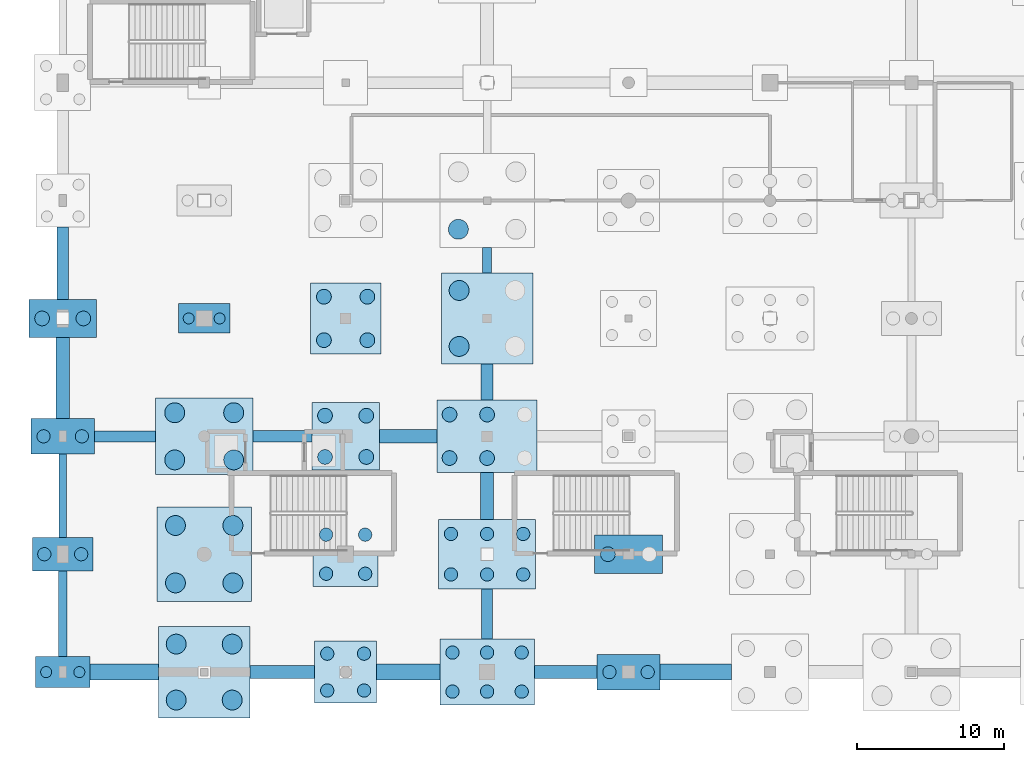
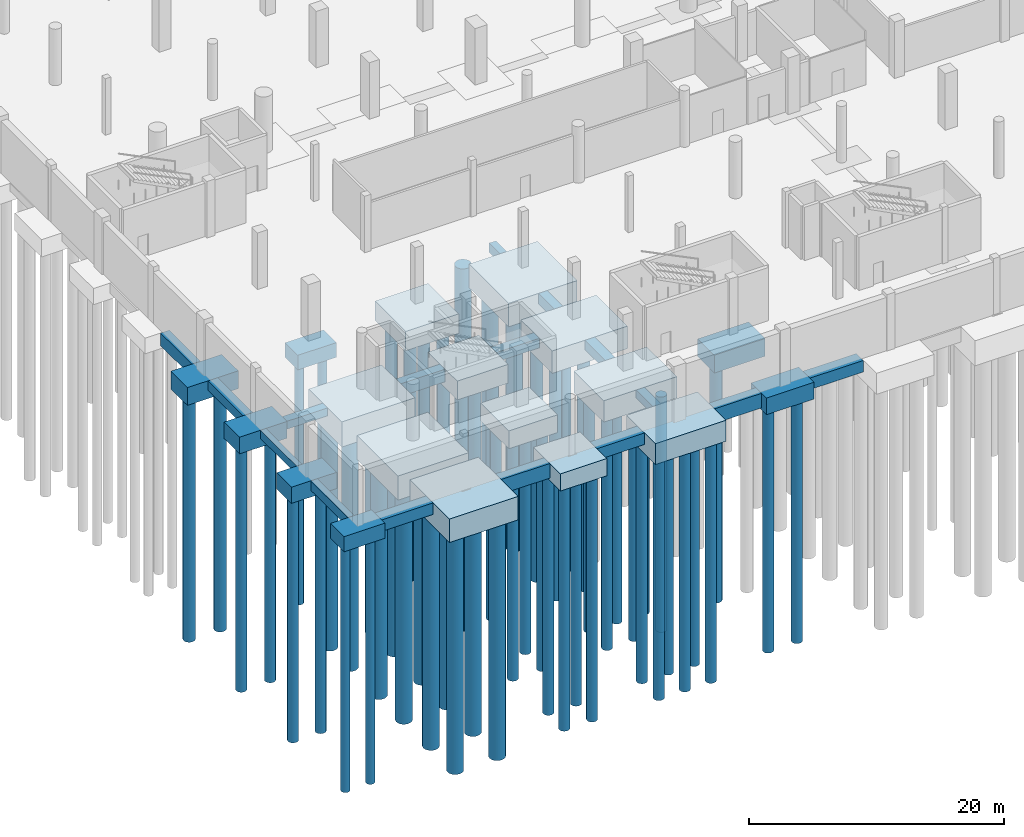
# One storey, part 1 of 44: 60 piles, 34 footings.
"""IFC4 building model written with IfcOpenShell, lengths in metres."""

from ifc_helpers import new_model, si_unit, direction, frame, origin, origin_2d, place, context, subcontext, project, spatial, rectangle, circle, extrude, material, material_profile, profile_set, type_object, element, save


model = new_model("IFC4")

# Units and contexts
model_context = context("Model", 3, precision=1e-05, world=origin(), true_north=direction((0.0, 1.0)))
body_context = subcontext(model_context, "Body", "Model", "MODEL_VIEW")
ifc_project = project(units=[si_unit("LENGTHUNIT", "METRE"), si_unit("AREAUNIT", "SQUARE_METRE"), si_unit("VOLUMEUNIT", "CUBIC_METRE"), si_unit("PLANEANGLEUNIT", "RADIAN"), si_unit("MASSUNIT", "GRAM", prefix="KILO")], contexts=[model_context])

# Site, building, storey
site_placement = place(None, origin())
site = spatial("IfcSite", under=ifc_project, at=site_placement, CompositionType="ELEMENT")
building_placement = place(site_placement, origin())
building = spatial("IfcBuilding", under=site, at=building_placement, Name="Danafjord Basin Convention Centre", CompositionType="ELEMENT")
storey_placement = place(building_placement, frame((0.0, 0.0, -5.39990234375)))
storey = spatial("IfcBuildingStorey", under=building, at=storey_placement, Name="B1", CompositionType="ELEMENT", Elevation=-5.39990234375)

# Footings
ifc_material = material(Name="Concrete C40/50", Category="concrete")
footing_type_1 = type_object("IfcFootingType", Name="CAP-PC-01", PredefinedType="PILE_CAP", material=ifc_material)
footing_1_placement = place(storey_placement, frame((9.60009765625, 32.0, -2.050048828125), z_axis=(0.0, 0.0, 1.0), x_axis=(1.0, 0.0, 0.0)))
element("IfcFooting", 1, at=footing_1_placement, inside=storey, type_object=footing_type_1, Name="B1 pile cap PC-01 at (9.6, 32.0)", PredefinedType="PILE_CAP", context=body_context, shape_type="SweptSolid", body=[
    extrude(rectangle(XDim=3.5, YDim=2.0, at=origin_2d()), origin(), (0.0, 0.0, 1.0), 1.39990234375),
])
footing_type_2 = type_object("IfcFootingType", Name="CAP-PC-02", PredefinedType="PILE_CAP", material=ifc_material)
footing_2_placement = place(storey_placement, frame((0.0, 8.0, -1.4501953125), z_axis=(0.0, 0.0, 1.0), x_axis=(1.0, 0.0, 0.0)))
element("IfcFooting", 2, at=footing_2_placement, inside=storey, type_object=footing_type_2, Name="B1 pile cap PC-02 at (0.0, 8.0)", PredefinedType="PILE_CAP", context=body_context, shape_type="SweptSolid", body=[
    extrude(rectangle(XDim=3.699951171875, YDim=2.10009765625, at=origin_2d()), origin(), (0.0, 0.0, 1.0), 1.449951171875),
])
footing_type_3 = type_object("IfcFootingType", Name="CAP-PC-03", PredefinedType="PILE_CAP", material=ifc_material)
footing_3_placement = place(storey_placement, frame((0.0, 16.0, -1.55029296875), z_axis=(0.0, 0.0, 1.0), x_axis=(1.0, 0.0, 0.0)))
element("IfcFooting", 3, at=footing_3_placement, inside=storey, type_object=footing_type_3, Name="B1 pile cap PC-03 at (0.0, 16.0)", PredefinedType="PILE_CAP", context=body_context, shape_type="SweptSolid", body=[
    extrude(rectangle(XDim=4.10009765625, YDim=2.300048828125, at=origin_2d()), origin(), (0.0, 0.0, 1.0), 1.550048828125),
])
footing_type_4 = type_object("IfcFootingType", Name="CAP-PC-04", PredefinedType="PILE_CAP", material=ifc_material)
for number, where, z_axis, x_axis, name in (
    (4, (0.0, 24.0, -1.60009765625), (0.0, 0.0, 1.0), (1.0, 0.0, 0.0), "B1 pile cap PC-04 at (0.0, 24.0)"),
    (5, (38.39990234375, 8.0, -1.60009765625), (0.0, 0.0, 1.0), (1.0, 0.0, 0.0), "B1 pile cap PC-04 at (38.4, 8.0)"),
):
    element("IfcFooting", number, at=place(storey_placement, frame(where, z_axis=z_axis, x_axis=x_axis)), inside=storey, type_object=footing_type_4, Name=name, PredefinedType="PILE_CAP", context=body_context, shape_type="SweptSolid", body=[
        extrude(rectangle(XDim=4.300048828125, YDim=2.39990234375, at=origin_2d()), origin(), (0.0, 0.0, 1.0), 1.60009765625),
    ])
footing_type_5 = type_object("IfcFootingType", Name="CAP-PC-05", PredefinedType="PILE_CAP", material=ifc_material)
for number, where, z_axis, x_axis, name in (
    (6, (0.0, 32.0, -1.7001953125), (0.0, 0.0, 1.0), (1.0, 0.0, 0.0), "B1 pile cap PC-05 at (0.0, 32.0)"),
    (7, (38.39990234375, 16.0, -2.35009765625), (0.0, 0.0, 1.0), (1.0, 0.0, 0.0), "B1 pile cap PC-05 at (38.4, 16.0)"),
):
    element("IfcFooting", number, at=place(storey_placement, frame(where, z_axis=z_axis, x_axis=x_axis)), inside=storey, type_object=footing_type_5, Name=name, PredefinedType="PILE_CAP", context=body_context, shape_type="SweptSolid", body=[
        extrude(rectangle(XDim=4.60009765625, YDim=2.60009765625, at=origin_2d()), origin(), (0.0, 0.0, 1.0), 1.699951171875),
    ])
footing_type_6 = type_object("IfcFootingType", Name="CAP-PC-08", PredefinedType="PILE_CAP", material=ifc_material)
footing_4_placement = place(storey_placement, frame((19.199951171875, 8.0, -1.650146484375), z_axis=(0.0, 0.0, 1.0), x_axis=(1.0, 0.0, 0.0)))
element("IfcFooting", 8, at=footing_4_placement, inside=storey, type_object=footing_type_6, Name="B1 pile cap PC-08 at (19.2, 8.0)", PredefinedType="PILE_CAP", context=body_context, shape_type="SweptSolid", body=[
    extrude(rectangle(XDim=4.199951171875, YDim=4.199951171875, at=origin_2d()), origin(), (0.0, 0.0, 1.0), 1.64990234375),
])
footing_type_7 = type_object("IfcFootingType", Name="CAP-PC-09", PredefinedType="PILE_CAP", material=ifc_material)
footing_5_placement = place(storey_placement, frame((19.199951171875, 16.0, -2.35009765625), z_axis=(0.0, 0.0, 1.0), x_axis=(1.0, 0.0, 0.0)))
element("IfcFooting", 9, at=footing_5_placement, inside=storey, type_object=footing_type_7, Name="B1 pile cap PC-09 at (19.2, 16.0)", PredefinedType="PILE_CAP", context=body_context, shape_type="SweptSolid", body=[
    extrude(rectangle(XDim=4.39990234375, YDim=4.39990234375, at=origin_2d()), origin(), (0.0, 0.0, 1.0), 1.699951171875),
])
footing_type_8 = type_object("IfcFootingType", Name="CAP-PC-10", PredefinedType="PILE_CAP", material=ifc_material)
footing_6_placement = place(storey_placement, frame((19.199951171875, 24.0, -2.4501953125), z_axis=(0.0, 0.0, 1.0), x_axis=(1.0, 0.0, 0.0)))
element("IfcFooting", 10, at=footing_6_placement, inside=storey, type_object=footing_type_8, Name="B1 pile cap PC-10 at (19.2, 24.0)", PredefinedType="PILE_CAP", context=body_context, shape_type="SweptSolid", body=[
    extrude(rectangle(XDim=4.60009765625, YDim=4.60009765625, at=origin_2d()), origin(), (0.0, 0.0, 1.0), 1.800048828125),
])
footing_type_9 = type_object("IfcFootingType", Name="CAP-PC-11", PredefinedType="PILE_CAP", material=ifc_material)
footing_7_placement = place(storey_placement, frame((19.199951171875, 32.0, -2.500244140625), z_axis=(0.0, 0.0, 1.0), x_axis=(1.0, 0.0, 0.0)))
element("IfcFooting", 11, at=footing_7_placement, inside=storey, type_object=footing_type_9, Name="B1 pile cap PC-11 at (19.2, 32.0)", PredefinedType="PILE_CAP", context=body_context, shape_type="SweptSolid", body=[
    extrude(rectangle(XDim=4.800048828125, YDim=4.800048828125, at=origin_2d()), origin(), (0.0, 0.0, 1.0), 1.85009765625),
])
footing_type_10 = type_object("IfcFootingType", Name="CAP-PC-17", PredefinedType="PILE_CAP", material=ifc_material)
footing_8_placement = place(storey_placement, frame((28.800048828125, 8.0, -2.0), z_axis=(0.0, 0.0, 1.0), x_axis=(1.0, 0.0, 0.0)))
element("IfcFooting", 12, at=footing_8_placement, inside=storey, type_object=footing_type_10, Name="B1 pile cap PC-17 at (28.8, 8.0)", PredefinedType="PILE_CAP", context=body_context, shape_type="SweptSolid", body=[
    extrude(rectangle(XDim=6.39990234375, YDim=4.5, at=origin_2d()), origin(), (0.0, 0.0, 1.0), 2.0),
])
footing_type_11 = type_object("IfcFootingType", Name="CAP-PC-18", PredefinedType="PILE_CAP", material=ifc_material)
footing_9_placement = place(storey_placement, frame((28.800048828125, 16.0, -2.7001953125), z_axis=(0.0, 0.0, 1.0), x_axis=(1.0, 0.0, 0.0)))
element("IfcFooting", 13, at=footing_9_placement, inside=storey, type_object=footing_type_11, Name="B1 pile cap PC-18 at (28.8, 16.0)", PredefinedType="PILE_CAP", context=body_context, shape_type="SweptSolid", body=[
    extrude(rectangle(XDim=6.60009765625, YDim=4.699951171875, at=origin_2d()), origin(), (0.0, 0.0, 1.0), 2.050048828125),
])
footing_type_12 = type_object("IfcFootingType", Name="CAP-PC-19", PredefinedType="PILE_CAP", material=ifc_material)
footing_10_placement = place(storey_placement, frame((28.800048828125, 24.0, -2.800048828125), z_axis=(0.0, 0.0, 1.0), x_axis=(1.0, 0.0, 0.0)))
element("IfcFooting", 14, at=footing_10_placement, inside=storey, type_object=footing_type_12, Name="B1 pile cap PC-19 at (28.8, 24.0)", PredefinedType="PILE_CAP", context=body_context, shape_type="SweptSolid", body=[
    extrude(rectangle(XDim=6.800048828125, YDim=4.89990234375, at=origin_2d()), origin(), (0.0, 0.0, 1.0), 2.14990234375),
])
footing_type_13 = type_object("IfcFootingType", Name="CAP-PC-20", PredefinedType="PILE_CAP", material=ifc_material)
for number, where, z_axis, x_axis, name in (
    (15, (9.60009765625, 8.0, -2.25), (0.0, 0.0, 1.0), (1.0, 0.0, 0.0), "B1 pile cap PC-20 at (9.6, 8.0)"),
    (16, (28.800048828125, 32.0, -2.900146484375), (0.0, 0.0, 1.0), (1.0, 0.0, 0.0), "B1 pile cap PC-20 at (28.8, 32.0)"),
):
    element("IfcFooting", number, at=place(storey_placement, frame(where, z_axis=z_axis, x_axis=x_axis)), inside=storey, type_object=footing_type_13, Name=name, PredefinedType="PILE_CAP", context=body_context, shape_type="SweptSolid", body=[
        extrude(rectangle(XDim=6.199951171875, YDim=6.199951171875, at=origin_2d()), origin(), (0.0, 0.0, 1.0), 2.25),
    ])
footing_type_14 = type_object("IfcFootingType", Name="CAP-PC-21", PredefinedType="PILE_CAP", material=ifc_material)
footing_11_placement = place(storey_placement, frame((9.60009765625, 16.0, -2.9501953125), z_axis=(0.0, 0.0, 1.0), x_axis=(1.0, 0.0, 0.0)))
element("IfcFooting", 17, at=footing_11_placement, inside=storey, type_object=footing_type_14, Name="B1 pile cap PC-21 at (9.6, 16.0)", PredefinedType="PILE_CAP", context=body_context, shape_type="SweptSolid", body=[
    extrude(rectangle(XDim=6.39990234375, YDim=6.39990234375, at=origin_2d()), origin(), (0.0, 0.0, 1.0), 2.300048828125),
])
footing_type_15 = type_object("IfcFootingType", Name="CAP-PC-22", PredefinedType="PILE_CAP", material=ifc_material)
footing_12_placement = place(storey_placement, frame((9.60009765625, 24.0, -3.050048828125), z_axis=(0.0, 0.0, 1.0), x_axis=(1.0, 0.0, 0.0)))
element("IfcFooting", 18, at=footing_12_placement, inside=storey, type_object=footing_type_15, Name="B1 pile cap PC-22 at (9.6, 24.0)", PredefinedType="PILE_CAP", context=body_context, shape_type="SweptSolid", body=[
    extrude(rectangle(XDim=6.60009765625, YDim=5.199951171875, at=origin_2d()), origin(), (0.0, 0.0, 1.0), 2.39990234375),
])
ifc_material_profile_1 = material_profile(ifc_material, rectangle(XDim=0.800048828125, YDim=1.0, at=origin_2d()), Name="GB 800x1000")
ifc_profile_set_1 = profile_set([ifc_material_profile_1], Name="Concrete C40/50")
footing_type_16 = type_object("IfcFootingType", Name="FBM-FB-01", PredefinedType="FOOTING_BEAM", material=ifc_profile_set_1)
footing_13_placement = place(storey_placement, frame((28.800048828125, 26.449951171875, -1.150146484375), z_axis=(0.0, 1.0, 0.0), x_axis=(-1.0, 0.0, 0.0)))
element("IfcFooting", 19, at=footing_13_placement, inside=storey, type_object=footing_type_16, Name="B1 foundation tie beam FB-01", PredefinedType="FOOTING_BEAM", context=body_context, shape_type="SweptSolid", body=[
    extrude(rectangle(XDim=0.800048828125, YDim=1.0, at=origin_2d()), origin(), (0.0, 0.0, 1.0), 2.449951171875),
])
ifc_material_profile_2 = material_profile(ifc_material, rectangle(XDim=0.60009765625, YDim=0.89990234375, at=origin_2d()), Name="GB 600x900")
ifc_profile_set_2 = profile_set([ifc_material_profile_2], Name="Concrete C40/50")
footing_type_17 = type_object("IfcFootingType", Name="FBM-FB-02", PredefinedType="FOOTING_BEAM", material=ifc_profile_set_2)
footing_14_placement = place(storey_placement, frame((0.0, 9.050048828125, -0.4501953125), z_axis=(0.0, 1.0, 0.0), x_axis=(-1.0, 0.0, 0.0)))
element("IfcFooting", 20, at=footing_14_placement, inside=storey, type_object=footing_type_17, Name="B1 foundation tie beam FB-02", PredefinedType="FOOTING_BEAM", context=body_context, shape_type="SweptSolid", body=[
    extrude(rectangle(XDim=0.60009765625, YDim=0.89990234375, at=origin_2d()), origin(), (0.0, 0.0, 1.0), 5.800048828125),
])
footing_15_placement = place(storey_placement, frame((28.800048828125, 35.10009765625, -1.10009765625), z_axis=(0.0, 1.0, 0.0), x_axis=(-1.0, 0.0, 0.0)))
element("IfcFooting", 21, at=footing_15_placement, inside=storey, type_object=footing_type_17, Name="B1 foundation tie beam FB-02", PredefinedType="FOOTING_BEAM", context=body_context, shape_type="SweptSolid", body=[
    extrude(rectangle(XDim=0.60009765625, YDim=0.89990234375, at=origin_2d()), origin(), (0.0, 0.0, 1.0), 1.699951171875),
])
ifc_material_profile_3 = material_profile(ifc_material, rectangle(XDim=0.5, YDim=0.800048828125, at=origin_2d()), Name="PCB 500x800")
ifc_profile_set_3 = profile_set([ifc_material_profile_3], Name="Concrete C40/50")
footing_type_18 = type_object("IfcFootingType", Name="FBM-FB-03", PredefinedType="FOOTING_BEAM", material=ifc_profile_set_3)
footing_16_placement = place(storey_placement, frame((0.0, 17.14990234375, -0.400146484375), z_axis=(0.0, 1.0, 0.0), x_axis=(-1.0, 0.0, 0.0)))
element("IfcFooting", 22, at=footing_16_placement, inside=storey, type_object=footing_type_18, Name="B1 foundation tie beam FB-03", PredefinedType="FOOTING_BEAM", context=body_context, shape_type="SweptSolid", body=[
    extrude(rectangle(XDim=0.5, YDim=0.800048828125, at=origin_2d()), origin(), (0.0, 0.0, 1.0), 5.650146484375),
])
ifc_material_profile_4 = material_profile(ifc_material, rectangle(XDim=0.75, YDim=0.75, at=origin_2d()), Name="RC 750x750")
ifc_profile_set_4 = profile_set([ifc_material_profile_4], Name="Concrete C40/50")
footing_type_19 = type_object("IfcFootingType", Name="FBM-FB-04", PredefinedType="FOOTING_BEAM", material=ifc_profile_set_4)
footing_17_placement = place(storey_placement, frame((2.14990234375, 24.0, -1.025146484375), z_axis=(1.0, 0.0, 0.0), x_axis=(0.0, 1.0, 0.0)))
element("IfcFooting", 23, at=footing_17_placement, inside=storey, type_object=footing_type_19, Name="B1 foundation beam FB-04", PredefinedType="FOOTING_BEAM", context=body_context, shape_type="SweptSolid", body=[
    extrude(rectangle(XDim=0.75, YDim=0.75, at=origin_2d()), origin(), (0.0, 0.0, 1.0), 4.150146484375),
])
footing_18_placement = place(storey_placement, frame((28.800048828125, 10.25, -1.025146484375), z_axis=(0.0, 1.0, 0.0), x_axis=(-1.0, 0.0, 0.0)))
element("IfcFooting", 24, at=footing_18_placement, inside=storey, type_object=footing_type_19, Name="B1 foundation tie beam FB-04", PredefinedType="FOOTING_BEAM", context=body_context, shape_type="SweptSolid", body=[
    extrude(rectangle(XDim=0.75, YDim=0.75, at=origin_2d()), origin(), (0.0, 0.0, 1.0), 3.39990234375),
])
ifc_material_profile_5 = material_profile(ifc_material, rectangle(XDim=0.89990234375, YDim=0.89990234375, at=origin_2d()), Name="RC 900x900")
ifc_profile_set_5 = profile_set([ifc_material_profile_5], Name="Concrete C40/50")
footing_type_20 = type_object("IfcFootingType", Name="FBM-FB-05", PredefinedType="FOOTING_BEAM", material=ifc_profile_set_5)
footing_19_placement = place(storey_placement, frame((0.0, 25.199951171875, -0.4501953125), z_axis=(0.0, 1.0, 0.0), x_axis=(-1.0, 0.0, 0.0)))
element("IfcFooting", 25, at=footing_19_placement, inside=storey, type_object=footing_type_20, Name="B1 foundation tie beam FB-05", PredefinedType="FOOTING_BEAM", context=body_context, shape_type="SweptSolid", body=[
    extrude(rectangle(XDim=0.89990234375, YDim=0.89990234375, at=origin_2d()), origin(), (0.0, 0.0, 1.0), 5.5),
])
footing_20_placement = place(storey_placement, frame((21.5, 24.0, -1.10009765625), z_axis=(1.0, 0.0, 0.0), x_axis=(0.0, 1.0, 0.0)))
element("IfcFooting", 26, at=footing_20_placement, inside=storey, type_object=footing_type_20, Name="B1 foundation beam FB-05", PredefinedType="FOOTING_BEAM", context=body_context, shape_type="SweptSolid", body=[
    extrude(rectangle(XDim=0.89990234375, YDim=0.89990234375, at=origin_2d()), origin(), (0.0, 0.0, 1.0), 3.89990234375),
])
footing_21_placement = place(storey_placement, frame((28.800048828125, 18.35009765625, -1.10009765625), z_axis=(0.0, 1.0, 0.0), x_axis=(-1.0, 0.0, 0.0)))
element("IfcFooting", 27, at=footing_21_placement, inside=storey, type_object=footing_type_20, Name="B1 foundation tie beam FB-05", PredefinedType="FOOTING_BEAM", context=body_context, shape_type="SweptSolid", body=[
    extrude(rectangle(XDim=0.89990234375, YDim=0.89990234375, at=origin_2d()), origin(), (0.0, 0.0, 1.0), 3.199951171875),
])
ifc_material_profile_6 = material_profile(ifc_material, rectangle(XDim=0.800048828125, YDim=1.199951171875, at=origin_2d()), Name="RC 1200x800")
ifc_profile_set_6 = profile_set([ifc_material_profile_6], Name="Concrete C40/50")
footing_type_21 = type_object("IfcFootingType", Name="FBM-FB-06", PredefinedType="FOOTING_BEAM", material=ifc_profile_set_6)
footing_22_placement = place(storey_placement, frame((0.0, 33.300048828125, -0.60009765625), z_axis=(0.0, 1.0, 0.0), x_axis=(-1.0, 0.0, 0.0)))
element("IfcFooting", 28, at=footing_22_placement, inside=storey, type_object=footing_type_21, Name="B1 foundation tie beam FB-06", PredefinedType="FOOTING_BEAM", context=body_context, shape_type="SweptSolid", body=[
    extrude(rectangle(XDim=0.800048828125, YDim=1.199951171875, at=origin_2d()), origin(), (0.0, 0.0, 1.0), 4.89990234375),
])
footing_23_placement = place(storey_placement, frame((12.89990234375, 24.0, -1.25), z_axis=(1.0, 0.0, 0.0), x_axis=(0.0, 1.0, 0.0)))
element("IfcFooting", 29, at=footing_23_placement, inside=storey, type_object=footing_type_21, Name="B1 foundation beam FB-06", PredefinedType="FOOTING_BEAM", context=body_context, shape_type="SweptSolid", body=[
    extrude(rectangle(XDim=0.800048828125, YDim=1.199951171875, at=origin_2d()), origin(), (0.0, 0.0, 1.0), 4.0),
])
ifc_material_profile_7 = material_profile(ifc_material, rectangle(XDim=1.10009765625, YDim=1.10009765625, at=origin_2d()), Name="RC 1100x1100")
ifc_profile_set_7 = profile_set([ifc_material_profile_7], Name="Concrete C40/50")
footing_type_22 = type_object("IfcFootingType", Name="FBM-SF-01", PredefinedType="STRIP_FOOTING", material=ifc_profile_set_7)
footing_24_placement = place(storey_placement, frame((1.85009765625, 8.0, -0.550048828125), z_axis=(1.0, 0.0, 0.0), x_axis=(0.0, 1.0, 0.0)))
element("IfcFooting", 30, at=footing_24_placement, inside=storey, type_object=footing_type_22, Name="B1 foundation beam SF-01", PredefinedType="STRIP_FOOTING", context=body_context, shape_type="SweptSolid", body=[
    extrude(rectangle(XDim=1.10009765625, YDim=1.10009765625, at=origin_2d()), origin(), (0.0, 0.0, 1.0), 4.64990234375),
])
footing_25_placement = place(storey_placement, frame((21.300048828125, 8.0, -0.550048828125), z_axis=(1.0, 0.0, 0.0), x_axis=(0.0, 1.0, 0.0)))
element("IfcFooting", 31, at=footing_25_placement, inside=storey, type_object=footing_type_22, Name="B1 foundation beam SF-01", PredefinedType="STRIP_FOOTING", context=body_context, shape_type="SweptSolid", body=[
    extrude(rectangle(XDim=1.10009765625, YDim=1.10009765625, at=origin_2d()), origin(), (0.0, 0.0, 1.0), 4.300048828125),
])
footing_26_placement = place(storey_placement, frame((40.550048828125, 8.0, -0.550048828125), z_axis=(1.0, 0.0, 0.0), x_axis=(0.0, 1.0, 0.0)))
element("IfcFooting", 32, at=footing_26_placement, inside=storey, type_object=footing_type_22, Name="B1 foundation beam SF-01", PredefinedType="STRIP_FOOTING", context=body_context, shape_type="SweptSolid", body=[
    extrude(rectangle(XDim=1.10009765625, YDim=1.10009765625, at=origin_2d()), origin(), (0.0, 0.0, 1.0), 4.849853515625),
])
ifc_material_profile_8 = material_profile(ifc_material, rectangle(XDim=0.89990234375, YDim=1.39990234375, at=origin_2d()), Name="RC 1400x900")
ifc_profile_set_8 = profile_set([ifc_material_profile_8], Name="Concrete C40/50")
footing_type_23 = type_object("IfcFootingType", Name="FBM-SF-02", PredefinedType="STRIP_FOOTING", material=ifc_profile_set_8)
footing_27_placement = place(storey_placement, frame((12.699951171875, 8.0, -0.7001953125), z_axis=(1.0, 0.0, 0.0), x_axis=(0.0, 1.0, 0.0)))
element("IfcFooting", 33, at=footing_27_placement, inside=storey, type_object=footing_type_23, Name="B1 foundation beam SF-02", PredefinedType="STRIP_FOOTING", context=body_context, shape_type="SweptSolid", body=[
    extrude(rectangle(XDim=0.89990234375, YDim=1.39990234375, at=origin_2d()), origin(), (0.0, 0.0, 1.0), 4.400146484375),
])
footing_28_placement = place(storey_placement, frame((32.0, 8.0, -0.7001953125), z_axis=(1.0, 0.0, 0.0), x_axis=(0.0, 1.0, 0.0)))
element("IfcFooting", 34, at=footing_28_placement, inside=storey, type_object=footing_type_23, Name="B1 foundation beam SF-02", PredefinedType="STRIP_FOOTING", context=body_context, shape_type="SweptSolid", body=[
    extrude(rectangle(XDim=0.89990234375, YDim=1.39990234375, at=origin_2d()), origin(), (0.0, 0.0, 1.0), 4.25),
])

# Piles
ifc_material_profile_9 = material_profile(ifc_material, circle(Radius=0.5, at=origin_2d()), Name="PILE D1000")
ifc_profile_set_9 = profile_set([ifc_material_profile_9], Name="Concrete C40/50")
pile_type_1 = type_object("IfcPileType", Name="PILE-PL-1000", PredefinedType="BORED", material=ifc_profile_set_9)
for number, where, z_axis, x_axis, name in (
    (35, (-1.39990234375, 32.0, -1.60009765625), (0.0, 0.0, -1.0), (1.0, 0.0, 0.0), "PC-05 bored pile 1-1"),
    (36, (1.39990234375, 32.0, -1.60009765625), (0.0, 0.0, -1.0), (1.0, 0.0, 0.0), "PC-05 bored pile 2-1"),
):
    element("IfcPile", number, at=place(storey_placement, frame(where, z_axis=z_axis, x_axis=x_axis)), inside=storey, type_object=pile_type_1, Name=name, PredefinedType="BORED", context=body_context, shape_type="SweptSolid", body=[
        extrude(circle(Radius=0.5, at=origin_2d()), origin(), (0.0, 0.0, 1.0), 23.5),
    ])
for number, where, z_axis, x_axis, name in (
    (37, (17.800048828125, 22.60009765625, -2.35009765625), (0.0, 0.0, -1.0), (1.0, 0.0, 0.0), "PC-10 bored pile 1-1"),
    (38, (17.800048828125, 25.39990234375, -2.35009765625), (0.0, 0.0, -1.0), (1.0, 0.0, 0.0), "PC-10 bored pile 1-2"),
    (39, (20.60009765625, 22.60009765625, -2.35009765625), (0.0, 0.0, -1.0), (1.0, 0.0, 0.0), "PC-10 bored pile 2-1"),
    (40, (20.60009765625, 25.39990234375, -2.35009765625), (0.0, 0.0, -1.0), (1.0, 0.0, 0.0), "PC-10 bored pile 2-2"),
):
    element("IfcPile", number, at=place(storey_placement, frame(where, z_axis=z_axis, x_axis=x_axis)), inside=storey, type_object=pile_type_1, Name=name, PredefinedType="BORED", context=body_context, shape_type="SweptSolid", body=[
        extrude(circle(Radius=0.5, at=origin_2d()), origin(), (0.0, 0.0, 1.0), 22.75),
    ])
for number, where, z_axis, x_axis, name in (
    (41, (17.72509765625, 30.52490234375, -2.400146484375), (0.0, 0.0, -1.0), (1.0, 0.0, 0.0), "PC-11 bored pile 1-1"),
    (42, (17.72509765625, 33.47509765625, -2.400146484375), (0.0, 0.0, -1.0), (1.0, 0.0, 0.0), "PC-11 bored pile 1-2"),
    (43, (20.675048828125, 30.52490234375, -2.400146484375), (0.0, 0.0, -1.0), (1.0, 0.0, 0.0), "PC-11 bored pile 2-1"),
    (44, (20.675048828125, 33.47509765625, -2.400146484375), (0.0, 0.0, -1.0), (1.0, 0.0, 0.0), "PC-11 bored pile 2-2"),
):
    element("IfcPile", number, at=place(storey_placement, frame(where, z_axis=z_axis, x_axis=x_axis)), inside=storey, type_object=pile_type_1, Name=name, PredefinedType="BORED", context=body_context, shape_type="SweptSolid", body=[
        extrude(circle(Radius=0.5, at=origin_2d()), origin(), (0.0, 0.0, 1.0), 22.699951171875),
    ])
for number, where, z_axis, x_axis, name in (
    (45, (26.25, 22.52490234375, -2.7001953125), (0.0, 0.0, -1.0), (1.0, 0.0, 0.0), "PC-19 bored pile 1-1"),
    (46, (26.25, 25.47509765625, -2.7001953125), (0.0, 0.0, -1.0), (1.0, 0.0, 0.0), "PC-19 bored pile 1-2"),
    (47, (28.800048828125, 22.52490234375, -2.7001953125), (0.0, 0.0, -1.0), (1.0, 0.0, 0.0), "PC-19 bored pile 2-1"),
    (48, (28.800048828125, 25.47509765625, -2.7001953125), (0.0, 0.0, -1.0), (1.0, 0.0, 0.0), "PC-19 bored pile 2-2"),
):
    element("IfcPile", number, at=place(storey_placement, frame(where, z_axis=z_axis, x_axis=x_axis)), inside=storey, type_object=pile_type_1, Name=name, PredefinedType="BORED", context=body_context, shape_type="SweptSolid", body=[
        extrude(circle(Radius=0.5, at=origin_2d()), origin(), (0.0, 0.0, 1.0), 22.39990234375),
    ])
pile_1_placement = place(storey_placement, frame((37.0, 16.0, -2.25), z_axis=(0.0, 0.0, -1.0), x_axis=(1.0, 0.0, 0.0)))
element("IfcPile", 49, at=pile_1_placement, inside=storey, type_object=pile_type_1, Name="PC-05 bored pile 1-1", PredefinedType="BORED", context=body_context, shape_type="SweptSolid", body=[
    extrude(circle(Radius=0.5, at=origin_2d()), origin(), (0.0, 0.0, 1.0), 22.85009765625),
])
ifc_material_profile_10 = material_profile(ifc_material, circle(Radius=0.675048828125, at=origin_2d()), Name="PILE D1350")
ifc_profile_set_10 = profile_set([ifc_material_profile_10], Name="Concrete C40/50")
pile_type_2 = type_object("IfcPileType", Name="PILE-PL-1350", PredefinedType="BORED", material=ifc_profile_set_10)
for number, where, z_axis, x_axis, name in (
    (50, (7.699951171875, 6.10009765625, -2.150146484375), (0.0, 0.0, -1.0), (1.0, 0.0, 0.0), "PC-20 bored pile 1-1"),
    (51, (7.699951171875, 9.89990234375, -2.150146484375), (0.0, 0.0, -1.0), (1.0, 0.0, 0.0), "PC-20 bored pile 1-2"),
    (52, (11.5, 6.10009765625, -2.150146484375), (0.0, 0.0, -1.0), (1.0, 0.0, 0.0), "PC-20 bored pile 2-1"),
    (53, (11.5, 9.89990234375, -2.150146484375), (0.0, 0.0, -1.0), (1.0, 0.0, 0.0), "PC-20 bored pile 2-2"),
):
    element("IfcPile", number, at=place(storey_placement, frame(where, z_axis=z_axis, x_axis=x_axis)), inside=storey, type_object=pile_type_2, Name=name, PredefinedType="BORED", context=body_context, shape_type="SweptSolid", body=[
        extrude(circle(Radius=0.675048828125, at=origin_2d()), origin(), (0.0, 0.0, 1.0), 22.949951171875),
    ])
for number, where, z_axis, x_axis, name in (
    (54, (7.64990234375, 14.050048828125, -2.85009765625), (0.0, 0.0, -1.0), (1.0, 0.0, 0.0), "PC-21 bored pile 1-1"),
    (55, (7.64990234375, 17.949951171875, -2.85009765625), (0.0, 0.0, -1.0), (1.0, 0.0, 0.0), "PC-21 bored pile 1-2"),
    (56, (11.550048828125, 14.050048828125, -2.85009765625), (0.0, 0.0, -1.0), (1.0, 0.0, 0.0), "PC-21 bored pile 2-1"),
    (57, (11.550048828125, 17.949951171875, -2.85009765625), (0.0, 0.0, -1.0), (1.0, 0.0, 0.0), "PC-21 bored pile 2-2"),
):
    element("IfcPile", number, at=place(storey_placement, frame(where, z_axis=z_axis, x_axis=x_axis)), inside=storey, type_object=pile_type_2, Name=name, PredefinedType="BORED", context=body_context, shape_type="SweptSolid", body=[
        extrude(circle(Radius=0.675048828125, at=origin_2d()), origin(), (0.0, 0.0, 1.0), 22.25),
    ])
for number, where, z_axis, x_axis, name in (
    (58, (7.60009765625, 22.39990234375, -2.9501953125), (0.0, 0.0, -1.0), (1.0, 0.0, 0.0), "PC-22 bored pile 1-1"),
    (59, (7.60009765625, 25.60009765625, -2.9501953125), (0.0, 0.0, -1.0), (1.0, 0.0, 0.0), "PC-22 bored pile 1-2"),
    (60, (11.60009765625, 22.39990234375, -2.9501953125), (0.0, 0.0, -1.0), (1.0, 0.0, 0.0), "PC-22 bored pile 2-1"),
    (61, (11.60009765625, 25.60009765625, -2.9501953125), (0.0, 0.0, -1.0), (1.0, 0.0, 0.0), "PC-22 bored pile 2-2"),
):
    element("IfcPile", number, at=place(storey_placement, frame(where, z_axis=z_axis, x_axis=x_axis)), inside=storey, type_object=pile_type_2, Name=name, PredefinedType="BORED", context=body_context, shape_type="SweptSolid", body=[
        extrude(circle(Radius=0.675048828125, at=origin_2d()), origin(), (0.0, 0.0, 1.0), 22.14990234375),
    ])
for number, where, z_axis, x_axis, name in (
    (62, (26.89990234375, 30.10009765625, -2.800048828125), (0.0, 0.0, -1.0), (1.0, 0.0, 0.0), "PC-20 bored pile 1-1"),
    (63, (26.89990234375, 33.89990234375, -2.800048828125), (0.0, 0.0, -1.0), (1.0, 0.0, 0.0), "PC-20 bored pile 1-2"),
):
    element("IfcPile", number, at=place(storey_placement, frame(where, z_axis=z_axis, x_axis=x_axis)), inside=storey, type_object=pile_type_2, Name=name, PredefinedType="BORED", context=body_context, shape_type="SweptSolid", body=[
        extrude(circle(Radius=0.675048828125, at=origin_2d()), origin(), (0.0, 0.0, 1.0), 22.300048828125),
    ])
pile_2_placement = place(storey_placement, frame((26.85009765625, 38.050048828125, -2.85009765625), z_axis=(0.0, 0.0, -1.0), x_axis=(1.0, 0.0, 0.0)))
element("IfcPile", 64, at=pile_2_placement, inside=storey, type_object=pile_type_2, Name="PC-21 bored pile 1-1", PredefinedType="BORED", context=body_context, shape_type="SweptSolid", body=[
    extrude(circle(Radius=0.675048828125, at=origin_2d()), origin(), (0.0, 0.0, 1.0), 22.25),
])
ifc_material_profile_11 = material_profile(ifc_material, circle(Radius=0.375, at=origin_2d()), Name="PILE D750")
ifc_profile_set_11 = profile_set([ifc_material_profile_11], Name="Concrete C40/50")
pile_type_3 = type_object("IfcPileType", Name="PILE-PL-750", PredefinedType="BORED", material=ifc_profile_set_11)
for number, where, z_axis, x_axis, name in (
    (65, (-1.125, 8.0, -1.35009765625), (0.0, 0.0, -1.0), (1.0, 0.0, 0.0), "PC-02 bored pile 1-1"),
    (66, (1.125, 8.0, -1.35009765625), (0.0, 0.0, -1.0), (1.0, 0.0, 0.0), "PC-02 bored pile 2-1"),
):
    element("IfcPile", number, at=place(storey_placement, frame(where, z_axis=z_axis, x_axis=x_axis)), inside=storey, type_object=pile_type_3, Name=name, PredefinedType="BORED", context=body_context, shape_type="SweptSolid", body=[
        extrude(circle(Radius=0.375, at=origin_2d()), origin(), (0.0, 0.0, 1.0), 23.75),
    ])
for number, where, z_axis, x_axis, name in (
    (67, (8.550048828125, 32.0, -1.9501953125), (0.0, 0.0, -1.0), (1.0, 0.0, 0.0), "PC-01 bored pile 1-1"),
    (68, (10.64990234375, 32.0, -1.9501953125), (0.0, 0.0, -1.0), (1.0, 0.0, 0.0), "PC-01 bored pile 2-1"),
):
    element("IfcPile", number, at=place(storey_placement, frame(where, z_axis=z_axis, x_axis=x_axis)), inside=storey, type_object=pile_type_3, Name=name, PredefinedType="BORED", context=body_context, shape_type="SweptSolid", body=[
        extrude(circle(Radius=0.375, at=origin_2d()), origin(), (0.0, 0.0, 1.0), 23.14990234375),
    ])
ifc_material_profile_12 = material_profile(ifc_material, circle(Radius=0.449951171875, at=origin_2d()), Name="PILE D900")
ifc_profile_set_12 = profile_set([ifc_material_profile_12], Name="Concrete C40/50")
pile_type_4 = type_object("IfcPileType", Name="PILE-PL-900", PredefinedType="BORED", material=ifc_profile_set_12)
for number, where, z_axis, x_axis, name in (
    (69, (-1.25, 16.0, -1.4501953125), (0.0, 0.0, -1.0), (1.0, 0.0, 0.0), "PC-03 bored pile 1-1"),
    (70, (1.25, 16.0, -1.4501953125), (0.0, 0.0, -1.0), (1.0, 0.0, 0.0), "PC-03 bored pile 2-1"),
):
    element("IfcPile", number, at=place(storey_placement, frame(where, z_axis=z_axis, x_axis=x_axis)), inside=storey, type_object=pile_type_4, Name=name, PredefinedType="BORED", context=body_context, shape_type="SweptSolid", body=[
        extrude(circle(Radius=0.449951171875, at=origin_2d()), origin(), (0.0, 0.0, 1.0), 23.64990234375),
    ])
for number, where, z_axis, x_axis, name in (
    (71, (-1.300048828125, 24.0, -1.5), (0.0, 0.0, -1.0), (1.0, 0.0, 0.0), "PC-04 bored pile 1-1"),
    (72, (1.300048828125, 24.0, -1.5), (0.0, 0.0, -1.0), (1.0, 0.0, 0.0), "PC-04 bored pile 2-1"),
):
    element("IfcPile", number, at=place(storey_placement, frame(where, z_axis=z_axis, x_axis=x_axis)), inside=storey, type_object=pile_type_4, Name=name, PredefinedType="BORED", context=body_context, shape_type="SweptSolid", body=[
        extrude(circle(Radius=0.449951171875, at=origin_2d()), origin(), (0.0, 0.0, 1.0), 23.60009765625),
    ])
for number, where, z_axis, x_axis, name in (
    (73, (17.949951171875, 6.75, -1.550048828125), (0.0, 0.0, -1.0), (1.0, 0.0, 0.0), "PC-08 bored pile 1-1"),
    (74, (17.949951171875, 9.25, -1.550048828125), (0.0, 0.0, -1.0), (1.0, 0.0, 0.0), "PC-08 bored pile 1-2"),
    (75, (20.449951171875, 6.75, -1.550048828125), (0.0, 0.0, -1.0), (1.0, 0.0, 0.0), "PC-08 bored pile 2-1"),
    (76, (20.449951171875, 9.25, -1.550048828125), (0.0, 0.0, -1.0), (1.0, 0.0, 0.0), "PC-08 bored pile 2-2"),
):
    element("IfcPile", number, at=place(storey_placement, frame(where, z_axis=z_axis, x_axis=x_axis)), inside=storey, type_object=pile_type_4, Name=name, PredefinedType="BORED", context=body_context, shape_type="SweptSolid", body=[
        extrude(circle(Radius=0.449951171875, at=origin_2d()), origin(), (0.0, 0.0, 1.0), 23.550048828125),
    ])
for number, where, z_axis, x_axis, name in (
    (77, (17.875, 14.675048828125, -2.25), (0.0, 0.0, -1.0), (1.0, 0.0, 0.0), "PC-09 bored pile 1-1"),
    (78, (17.875, 17.324951171875, -2.25), (0.0, 0.0, -1.0), (1.0, 0.0, 0.0), "PC-09 bored pile 1-2"),
    (79, (20.52490234375, 14.675048828125, -2.25), (0.0, 0.0, -1.0), (1.0, 0.0, 0.0), "PC-09 bored pile 2-1"),
    (80, (20.52490234375, 17.324951171875, -2.25), (0.0, 0.0, -1.0), (1.0, 0.0, 0.0), "PC-09 bored pile 2-2"),
):
    element("IfcPile", number, at=place(storey_placement, frame(where, z_axis=z_axis, x_axis=x_axis)), inside=storey, type_object=pile_type_4, Name=name, PredefinedType="BORED", context=body_context, shape_type="SweptSolid", body=[
        extrude(circle(Radius=0.449951171875, at=origin_2d()), origin(), (0.0, 0.0, 1.0), 22.85009765625),
    ])
for number, where, z_axis, x_axis, name in (
    (81, (26.449951171875, 6.675048828125, -1.900146484375), (0.0, 0.0, -1.0), (1.0, 0.0, 0.0), "PC-17 bored pile 1-1"),
    (82, (26.449951171875, 9.324951171875, -1.900146484375), (0.0, 0.0, -1.0), (1.0, 0.0, 0.0), "PC-17 bored pile 1-2"),
    (83, (28.800048828125, 6.675048828125, -1.900146484375), (0.0, 0.0, -1.0), (1.0, 0.0, 0.0), "PC-17 bored pile 2-1"),
    (84, (28.800048828125, 9.324951171875, -1.900146484375), (0.0, 0.0, -1.0), (1.0, 0.0, 0.0), "PC-17 bored pile 2-2"),
    (85, (31.14990234375, 6.675048828125, -1.900146484375), (0.0, 0.0, -1.0), (1.0, 0.0, 0.0), "PC-17 bored pile 3-1"),
    (86, (31.14990234375, 9.324951171875, -1.900146484375), (0.0, 0.0, -1.0), (1.0, 0.0, 0.0), "PC-17 bored pile 3-2"),
):
    element("IfcPile", number, at=place(storey_placement, frame(where, z_axis=z_axis, x_axis=x_axis)), inside=storey, type_object=pile_type_4, Name=name, PredefinedType="BORED", context=body_context, shape_type="SweptSolid", body=[
        extrude(circle(Radius=0.449951171875, at=origin_2d()), origin(), (0.0, 0.0, 1.0), 23.199951171875),
    ])
for number, where, z_axis, x_axis, name in (
    (87, (26.35009765625, 14.625, -2.60009765625), (0.0, 0.0, -1.0), (1.0, 0.0, 0.0), "PC-18 bored pile 1-1"),
    (88, (26.35009765625, 17.375, -2.60009765625), (0.0, 0.0, -1.0), (1.0, 0.0, 0.0), "PC-18 bored pile 1-2"),
    (89, (28.800048828125, 14.625, -2.60009765625), (0.0, 0.0, -1.0), (1.0, 0.0, 0.0), "PC-18 bored pile 2-1"),
    (90, (28.800048828125, 17.375, -2.60009765625), (0.0, 0.0, -1.0), (1.0, 0.0, 0.0), "PC-18 bored pile 2-2"),
    (91, (31.25, 14.625, -2.60009765625), (0.0, 0.0, -1.0), (1.0, 0.0, 0.0), "PC-18 bored pile 3-1"),
    (92, (31.25, 17.375, -2.60009765625), (0.0, 0.0, -1.0), (1.0, 0.0, 0.0), "PC-18 bored pile 3-2"),
):
    element("IfcPile", number, at=place(storey_placement, frame(where, z_axis=z_axis, x_axis=x_axis)), inside=storey, type_object=pile_type_4, Name=name, PredefinedType="BORED", context=body_context, shape_type="SweptSolid", body=[
        extrude(circle(Radius=0.449951171875, at=origin_2d()), origin(), (0.0, 0.0, 1.0), 22.5),
    ])
for number, where, z_axis, x_axis, name in (
    (93, (37.10009765625, 8.0, -1.5), (0.0, 0.0, -1.0), (1.0, 0.0, 0.0), "PC-04 bored pile 1-1"),
    (94, (39.699951171875, 8.0, -1.5), (0.0, 0.0, -1.0), (1.0, 0.0, 0.0), "PC-04 bored pile 2-1"),
):
    element("IfcPile", number, at=place(storey_placement, frame(where, z_axis=z_axis, x_axis=x_axis)), inside=storey, type_object=pile_type_4, Name=name, PredefinedType="BORED", context=body_context, shape_type="SweptSolid", body=[
        extrude(circle(Radius=0.449951171875, at=origin_2d()), origin(), (0.0, 0.0, 1.0), 23.60009765625),
    ])

save(model, "model.ifc")
